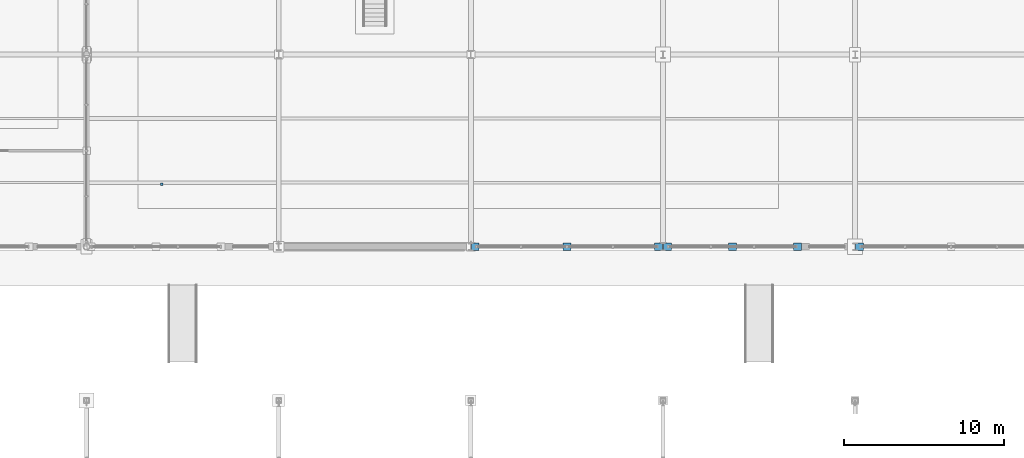
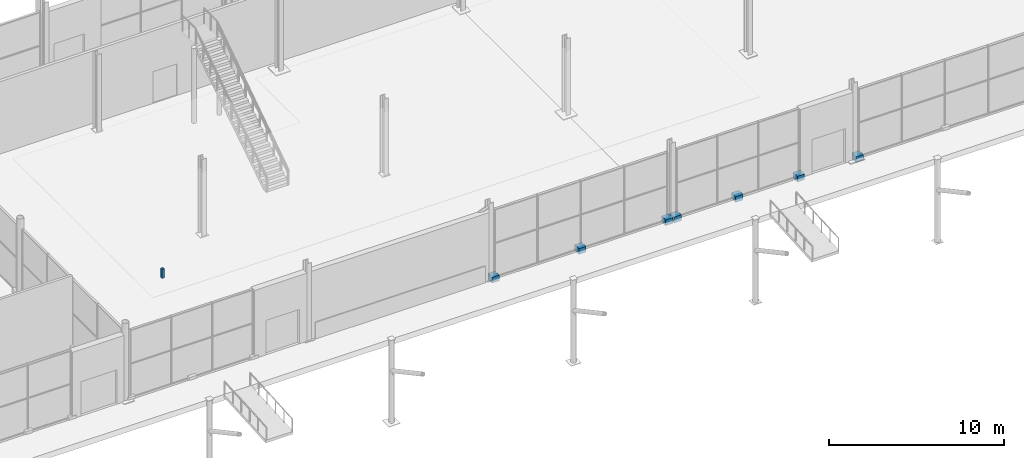
# One storey, part 183 of 196: 8 discrete accessories.
"""IFC4 building model written with IfcOpenShell, lengths in metres."""

from ifc_helpers import new_model, si_unit, direction, frame, origin, origin_2d, place, context, subcontext, project, spatial, rectangle, extrude, material, layer, layer_set, type_object, element, save


model = new_model("IFC4")

# Units and contexts
model_context = context("Model", 3, precision=1e-05, world=origin(), true_north=direction((0.0, 1.0)))
body_context = subcontext(model_context, "Body", "Model", "MODEL_VIEW")
ifc_project = project(units=[si_unit("LENGTHUNIT", "METRE"), si_unit("AREAUNIT", "SQUARE_METRE"), si_unit("VOLUMEUNIT", "CUBIC_METRE"), si_unit("PLANEANGLEUNIT", "RADIAN"), si_unit("MASSUNIT", "GRAM", prefix="KILO")], contexts=[model_context])

# Site, building, storey
site_placement = place(None, origin())
site = spatial("IfcSite", under=ifc_project, at=site_placement, CompositionType="ELEMENT")
building_placement = place(site_placement, origin())
building = spatial("IfcBuilding", under=site, at=building_placement, Name="Merenkruunu Market Hall", CompositionType="ELEMENT")
storey_placement = place(building_placement, origin())
storey = spatial("IfcBuildingStorey", under=building, at=storey_placement, Name="L00", CompositionType="ELEMENT", Elevation=0.0)

# Discrete accessories
ifc_material = material(Name="Brushed stainless steel", Category="steel")
ifc_layer = layer(ifc_material, 0.159912109375)
ifc_layer_set = layer_set([ifc_layer], Name="Brushed stainless steel")
discrete_accessory_type = type_object("IfcDiscreteAccessoryType", Name="Stainless Facade Support Bracket BRK01", PredefinedType="BRACKET", material=ifc_layer_set)
for number, where, z_axis, x_axis, name in (
    (1, (112.52001953125, 15.60009765625, -0.199951171875), (0.0, 0.0, 1.0), (1.0, 0.0, 0.0), "ACC-CWBRK-186-1"),
    (2, (106.800048828125, 15.60009765625, -0.199951171875), (0.0, 0.0, 1.0), (1.0, 0.0, 0.0), "ACC-CWBRK-186-2"),
    (3, (101.080078125, 15.60009765625, -0.199951171875), (0.0, 0.0, 1.0), (1.0, 0.0, 0.0), "ACC-CWBRK-186-3"),
    (4, (121.199951171875, 15.60009765625, -0.199951171875), (0.0, 0.0, 1.0), (1.0, 0.0, 0.0), "ACC-CWBRK-190-1"),
    (5, (117.139892578125, 15.60009765625, -0.199951171875), (0.0, 0.0, 1.0), (1.0, 0.0, 0.0), "ACC-CWBRK-190-2"),
    (6, (113.080078125, 15.60009765625, -0.199951171875), (0.0, 0.0, 1.0), (1.0, 0.0, 0.0), "ACC-CWBRK-190-3"),
    (7, (125.080078125, 15.60009765625, -0.199951171875), (0.0, 0.0, 1.0), (1.0, 0.0, 0.0), "ACC-CWBRK-194-3"),
):
    element("IfcDiscreteAccessory", number, at=place(storey_placement, frame(where, z_axis=z_axis, x_axis=x_axis)), inside=storey, type_object=discrete_accessory_type, Name=name, PredefinedType="BRACKET", context=body_context, shape_type="SweptSolid", body=[
        extrude(rectangle(XDim=0.47998046875, YDim=0.47998046875, at=origin_2d()), origin(), (0.0, 0.0, 1.0), 0.39990234375),
    ])
discrete_accessory_placement = place(storey_placement, frame((81.5, 19.5, 4.449951171875), z_axis=(0.0, 0.0, 1.0), x_axis=(1.0, 0.0, 0.0)))
element("IfcDiscreteAccessory", 8, at=discrete_accessory_placement, inside=storey, type_object=discrete_accessory_type, Name="ACC-CLGHNG-1-1", PredefinedType="BRACKET", context=body_context, shape_type="SweptSolid", body=[
    extrude(rectangle(XDim=0.159912109375, YDim=0.159912109375, at=origin_2d()), origin(), (0.0, 0.0, 1.0), 0.64990234375),
])

save(model, "model.ifc")
